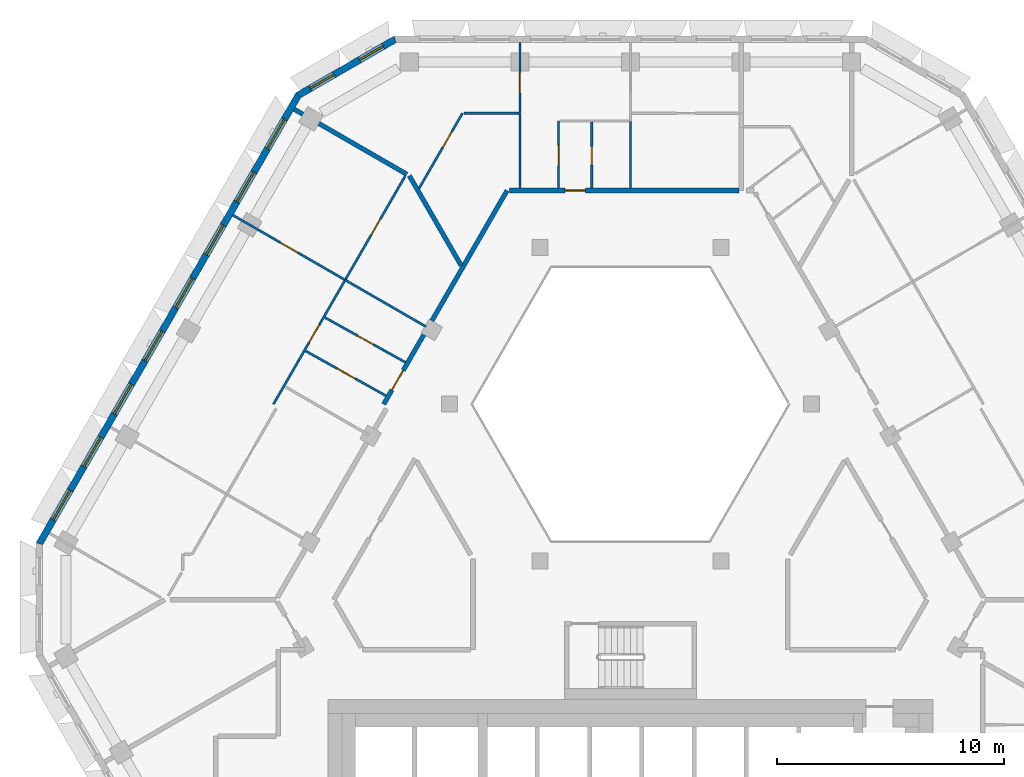
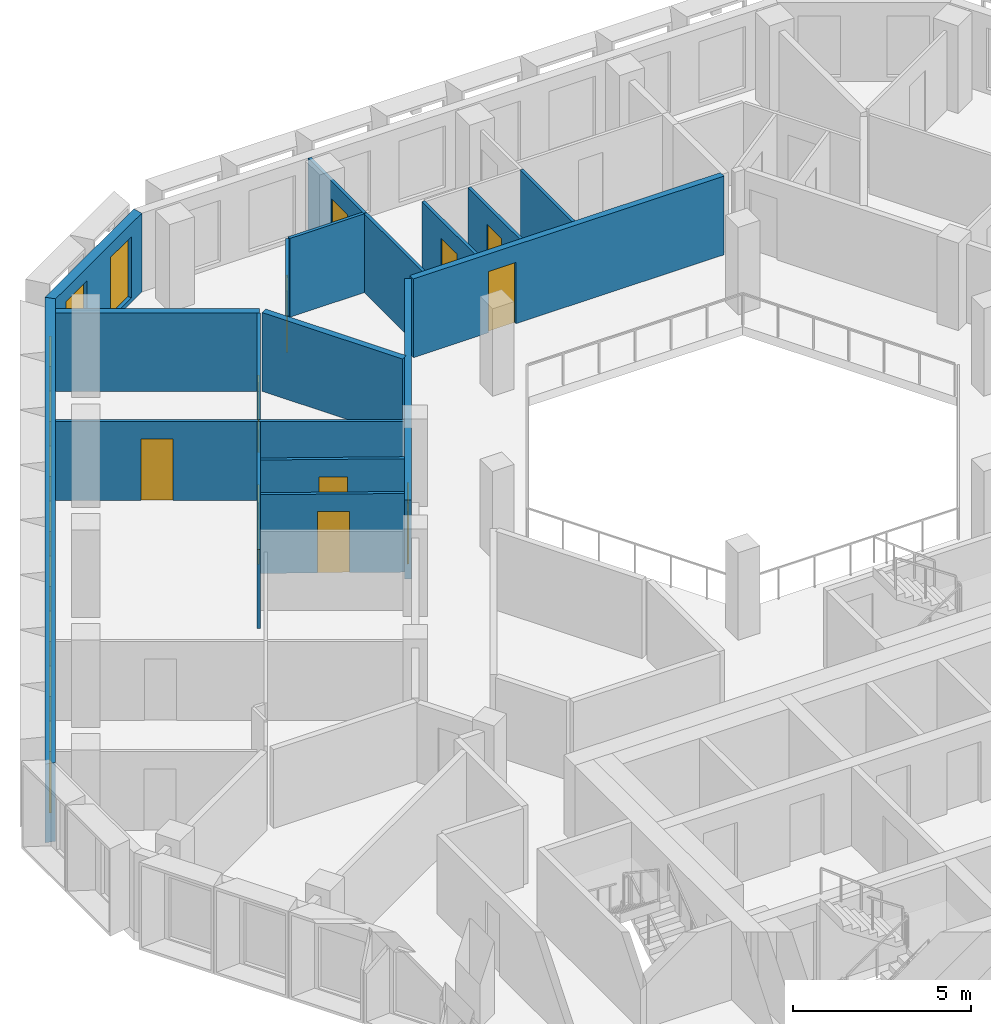
# One storey, part 7 of 17: 18 walls, 11 doors, 10 windows, 21 openings.
"""IFC4 building model written with IfcOpenShell, lengths in metres."""

from ifc_helpers import new_model, si_unit, direction, frame, frame_2d, origin, place, context, subcontext, project, spatial, polyline, rectangle, outline, extrude, material, layer, layer_set, type_object, element, fill, save


model = new_model("IFC4")

# Units and contexts
model_context = context("Model", 3, precision=1e-05, world=origin(), true_north=direction((0.0, 1.0)))
body_context = subcontext(model_context, "Body", "Model", "MODEL_VIEW")
ifc_project = project(units=[si_unit("LENGTHUNIT", "METRE"), si_unit("AREAUNIT", "SQUARE_METRE"), si_unit("VOLUMEUNIT", "CUBIC_METRE"), si_unit("PLANEANGLEUNIT", "RADIAN"), si_unit("MASSUNIT", "GRAM", prefix="KILO")], contexts=[model_context])

# Site, building, storey
site_placement = place(None, origin())
site = spatial("IfcSite", under=ifc_project, at=site_placement, CompositionType="ELEMENT")
building_placement = place(site_placement, origin())
building = spatial("IfcBuilding", under=site, at=building_placement, Name="Beryl Residences", CompositionType="ELEMENT")
storey_placement = place(building_placement, frame((0.0, 0.0, 178.199951171875)))
storey = spatial("IfcBuildingStorey", under=building, at=storey_placement, Name="L54", CompositionType="ELEMENT", Elevation=178.199951171875)

# Wall, openings, windows
ifc_material_1 = material(Name="Composite metal panel with mineral wool insulation")
ifc_layer_1 = layer(ifc_material_1, 0.300048828125)
ifc_layer_set_1 = layer_set([ifc_layer_1], Name="ES1 pale metal composite panel wall 300 mm")
wall_type_1 = type_object("IfcWallType", Name="ES1 pale metal composite panel wall 300 mm", PredefinedType="SOLIDWALL", material=ifc_layer_set_1)
wall_1_placement = place(storey_placement, frame((-10.31689453125, 24.070068359375, 0.0), z_axis=(0.0, 0.0, 1.0), x_axis=(-0.866022959057, -0.500004234368, 0.0)))
wall_1 = element("IfcWall", 1, at=wall_1_placement, inside=storey, type_object=wall_type_1, Name="ES1 external wall L54 N-NW", PredefinedType="SOLIDWALL", context=body_context, shape_type="SweptSolid", body=[
    extrude(outline(polyline([(0.0, -0.14990234375), (5.0, -0.14990234375), (4.919677734375, 0.14990234375), (0.080322265625, 0.14990234375), (0.0, -0.14990234375)])), origin(), (0.0, 0.0, 1.0), 2.699951171875),
])
opening_1_placement = place(wall_1_placement, frame((0.64990234375, 0.0, 0.14990234375)))
opening_1 = element("IfcOpeningElement", 2, at=opening_1_placement, cuts=wall_1, Name="Opening W2", PredefinedType="OPENING", context=body_context, shape_type="SweptSolid", body=[
    extrude(rectangle(XDim=1.199951171875, YDim=2.10009765625, at=frame_2d((0.60009765625, 1.050048828125))), frame((0.0, 0.159912109375, 0.0), z_axis=(0.0, -1.0, 0.0), x_axis=(1.0, 0.0, 0.0)), (0.0, 0.0, 1.0), 0.320068359375),
])
opening_2_placement = place(wall_1_placement, frame((3.14892578125, 0.0, 0.14990234375)))
opening_2 = element("IfcOpeningElement", 3, at=opening_2_placement, cuts=wall_1, Name="Opening W2", PredefinedType="OPENING", context=body_context, shape_type="SweptSolid", body=[
    extrude(rectangle(XDim=1.199951171875, YDim=2.10009765625, at=frame_2d((0.60009765625, 1.050048828125))), frame((0.0, 0.159912109375, 0.0), z_axis=(0.0, -1.0, 0.0), x_axis=(1.0, 0.0, 0.0)), (0.0, 0.0, 1.0), 0.320068359375),
])
ifc_material_2 = material(Name="Aluminium and clear glass", Category="aluminium")
window_type_1 = type_object("IfcWindowType", Name="W2 chamfer window 1200 x 2100 mm", PartitioningType="SINGLE_PANEL", PredefinedType="WINDOW", material=ifc_material_2)
window_1_placement = place(opening_1_placement, origin())
window_1 = element("IfcWindow", 4, at=window_1_placement, inside=storey, type_object=window_type_1, Name="W2 window L54 N-NW 1", OverallHeight=2.10009765625, OverallWidth=1.199951171875, PartitioningType="SINGLE_PANEL", PredefinedType="WINDOW", context=body_context, shape_type="SweptSolid", body=[
    extrude(rectangle(XDim=1.199951171875, YDim=2.10009765625, at=frame_2d((0.60009765625, 1.050048828125))), frame((0.0, 0.030029296875, 0.0), z_axis=(0.0, -1.0, 0.0), x_axis=(1.0, 0.0, 0.0)), (0.0, 0.0, 1.0), 0.06005859375),
])
fill(opening_1, window_1)
window_2_placement = place(opening_2_placement, origin())
window_2 = element("IfcWindow", 5, at=window_2_placement, inside=storey, type_object=window_type_1, Name="W2 window L54 N-NW 2", OverallHeight=2.10009765625, OverallWidth=1.199951171875, PartitioningType="SINGLE_PANEL", PredefinedType="WINDOW", context=body_context, shape_type="SweptSolid", body=[
    extrude(rectangle(XDim=1.199951171875, YDim=2.10009765625, at=frame_2d((0.60009765625, 1.050048828125))), frame((0.0, 0.030029296875, 0.0), z_axis=(0.0, -1.0, 0.0), x_axis=(1.0, 0.0, 0.0)), (0.0, 0.0, 1.0), 0.06005859375),
])
fill(opening_2, window_2)

wall_2_placement = place(storey_placement, frame((-14.592041015625, 21.625, 0.0), z_axis=(0.0, 0.0, 1.0), x_axis=(-0.500010537973, -0.866019319597, 0.0)))
wall_2 = element("IfcWall", 6, at=wall_2_placement, inside=storey, type_object=wall_type_1, Name="ES1 external wall L54 NW", PredefinedType="SOLIDWALL", context=body_context, shape_type="SweptSolid", body=[
    extrude(outline(polyline([(0.0, -0.14990234375), (22.86328125, -0.14990234375), (22.782958984375, 0.14990234375), (0.080322265625, 0.14990234375), (0.0, -0.14990234375)])), origin(), (0.0, 0.0, 1.0), 2.699951171875),
])
opening_3_placement = place(wall_2_placement, frame((1.259033203125, 0.0, 0.14990234375)))
opening_3 = element("IfcOpeningElement", 7, at=opening_3_placement, cuts=wall_2, Name="Opening W1", PredefinedType="OPENING", context=body_context, shape_type="SweptSolid", body=[
    extrude(rectangle(XDim=1.5, YDim=2.10009765625, at=frame_2d((0.75, 1.050048828125))), frame((0.0, 0.159912109375, 0.0), z_axis=(0.0, -1.0, 0.0), x_axis=(1.0, 0.0, 0.0)), (0.0, 0.0, 1.0), 0.320068359375),
])
opening_4_placement = place(wall_2_placement, frame((3.951904296875, 0.0, 0.14990234375)))
opening_4 = element("IfcOpeningElement", 8, at=opening_4_placement, cuts=wall_2, Name="Opening W1", PredefinedType="OPENING", context=body_context, shape_type="SweptSolid", body=[
    extrude(rectangle(XDim=1.5, YDim=2.10009765625, at=frame_2d((0.75, 1.050048828125))), frame((0.0, 0.159912109375, 0.0), z_axis=(0.0, -1.0, 0.0), x_axis=(1.0, 0.0, 0.0)), (0.0, 0.0, 1.0), 0.320068359375),
])
opening_5_placement = place(wall_2_placement, frame((6.64404296875, 0.0, 0.14990234375)))
opening_5 = element("IfcOpeningElement", 9, at=opening_5_placement, cuts=wall_2, Name="Opening W1", PredefinedType="OPENING", context=body_context, shape_type="SweptSolid", body=[
    extrude(rectangle(XDim=1.5, YDim=2.10009765625, at=frame_2d((0.75, 1.050048828125))), frame((0.0, 0.159912109375, 0.0), z_axis=(0.0, -1.0, 0.0), x_axis=(1.0, 0.0, 0.0)), (0.0, 0.0, 1.0), 0.320068359375),
])
opening_6_placement = place(wall_2_placement, frame((9.3349609375, 0.0, 0.14990234375)))
opening_6 = element("IfcOpeningElement", 10, at=opening_6_placement, cuts=wall_2, Name="Opening W1", PredefinedType="OPENING", context=body_context, shape_type="SweptSolid", body=[
    extrude(rectangle(XDim=1.5, YDim=2.10009765625, at=frame_2d((0.75, 1.050048828125))), frame((0.0, 0.159912109375, 0.0), z_axis=(0.0, -1.0, 0.0), x_axis=(1.0, 0.0, 0.0)), (0.0, 0.0, 1.0), 0.320068359375),
])
opening_7_placement = place(wall_2_placement, frame((12.028076171875, 0.0, 0.14990234375)))
opening_7 = element("IfcOpeningElement", 11, at=opening_7_placement, cuts=wall_2, Name="Opening W1", PredefinedType="OPENING", context=body_context, shape_type="SweptSolid", body=[
    extrude(rectangle(XDim=1.5, YDim=2.10009765625, at=frame_2d((0.75, 1.050048828125))), frame((0.0, 0.159912109375, 0.0), z_axis=(0.0, -1.0, 0.0), x_axis=(1.0, 0.0, 0.0)), (0.0, 0.0, 1.0), 0.320068359375),
])
opening_8_placement = place(wall_2_placement, frame((14.719970703125, 0.0, 0.14990234375)))
opening_8 = element("IfcOpeningElement", 12, at=opening_8_placement, cuts=wall_2, Name="Opening W1", PredefinedType="OPENING", context=body_context, shape_type="SweptSolid", body=[
    extrude(rectangle(XDim=1.5, YDim=2.10009765625, at=frame_2d((0.75, 1.050048828125))), frame((0.0, 0.159912109375, 0.0), z_axis=(0.0, -1.0, 0.0), x_axis=(1.0, 0.0, 0.0)), (0.0, 0.0, 1.0), 0.320068359375),
])
opening_9_placement = place(wall_2_placement, frame((17.410888671875, 0.0, 0.14990234375)))
opening_9 = element("IfcOpeningElement", 13, at=opening_9_placement, cuts=wall_2, Name="Opening W1", PredefinedType="OPENING", context=body_context, shape_type="SweptSolid", body=[
    extrude(rectangle(XDim=1.5, YDim=2.10009765625, at=frame_2d((0.75, 1.050048828125))), frame((0.0, 0.159912109375, 0.0), z_axis=(0.0, -1.0, 0.0), x_axis=(1.0, 0.0, 0.0)), (0.0, 0.0, 1.0), 0.320068359375),
])
opening_10_placement = place(wall_2_placement, frame((20.10400390625, 0.0, 0.14990234375)))
opening_10 = element("IfcOpeningElement", 14, at=opening_10_placement, cuts=wall_2, Name="Opening W1", PredefinedType="OPENING", context=body_context, shape_type="SweptSolid", body=[
    extrude(rectangle(XDim=1.5, YDim=2.10009765625, at=frame_2d((0.75, 1.050048828125))), frame((0.0, 0.159912109375, 0.0), z_axis=(0.0, -1.0, 0.0), x_axis=(1.0, 0.0, 0.0)), (0.0, 0.0, 1.0), 0.320068359375),
])
ifc_material_3 = material(Name="Aluminium and clear glass", Category="aluminium")
window_type_2 = type_object("IfcWindowType", Name="W1 cell window 1500 x 2100 mm", PartitioningType="SINGLE_PANEL", PredefinedType="WINDOW", material=ifc_material_3)
window_3_placement = place(opening_3_placement, origin())
window_3 = element("IfcWindow", 15, at=window_3_placement, inside=storey, type_object=window_type_2, Name="W1 window L54 NW 1", OverallHeight=2.10009765625, OverallWidth=1.5, PartitioningType="SINGLE_PANEL", PredefinedType="WINDOW", context=body_context, shape_type="SweptSolid", body=[
    extrude(rectangle(XDim=1.5, YDim=2.10009765625, at=frame_2d((0.75, 1.050048828125))), frame((0.0, 0.030029296875, 0.0), z_axis=(0.0, -1.0, 0.0), x_axis=(1.0, 0.0, 0.0)), (0.0, 0.0, 1.0), 0.06005859375),
])
fill(opening_3, window_3)
window_4_placement = place(opening_4_placement, origin())
window_4 = element("IfcWindow", 16, at=window_4_placement, inside=storey, type_object=window_type_2, Name="W1 window L54 NW 2", OverallHeight=2.10009765625, OverallWidth=1.5, PartitioningType="SINGLE_PANEL", PredefinedType="WINDOW", context=body_context, shape_type="SweptSolid", body=[
    extrude(rectangle(XDim=1.5, YDim=2.10009765625, at=frame_2d((0.75, 1.050048828125))), frame((0.0, 0.030029296875, 0.0), z_axis=(0.0, -1.0, 0.0), x_axis=(1.0, 0.0, 0.0)), (0.0, 0.0, 1.0), 0.06005859375),
])
fill(opening_4, window_4)
window_5_placement = place(opening_5_placement, origin())
window_5 = element("IfcWindow", 17, at=window_5_placement, inside=storey, type_object=window_type_2, Name="W1 window L54 NW 3", OverallHeight=2.10009765625, OverallWidth=1.5, PartitioningType="SINGLE_PANEL", PredefinedType="WINDOW", context=body_context, shape_type="SweptSolid", body=[
    extrude(rectangle(XDim=1.5, YDim=2.10009765625, at=frame_2d((0.75, 1.050048828125))), frame((0.0, 0.030029296875, 0.0), z_axis=(0.0, -1.0, 0.0), x_axis=(1.0, 0.0, 0.0)), (0.0, 0.0, 1.0), 0.06005859375),
])
fill(opening_5, window_5)
window_6_placement = place(opening_6_placement, origin())
window_6 = element("IfcWindow", 18, at=window_6_placement, inside=storey, type_object=window_type_2, Name="W1 window L54 NW 4", OverallHeight=2.10009765625, OverallWidth=1.5, PartitioningType="SINGLE_PANEL", PredefinedType="WINDOW", context=body_context, shape_type="SweptSolid", body=[
    extrude(rectangle(XDim=1.5, YDim=2.10009765625, at=frame_2d((0.75, 1.050048828125))), frame((0.0, 0.030029296875, 0.0), z_axis=(0.0, -1.0, 0.0), x_axis=(1.0, 0.0, 0.0)), (0.0, 0.0, 1.0), 0.06005859375),
])
fill(opening_6, window_6)
window_7_placement = place(opening_7_placement, origin())
window_7 = element("IfcWindow", 19, at=window_7_placement, inside=storey, type_object=window_type_2, Name="W1 window L54 NW 5", OverallHeight=2.10009765625, OverallWidth=1.5, PartitioningType="SINGLE_PANEL", PredefinedType="WINDOW", context=body_context, shape_type="SweptSolid", body=[
    extrude(rectangle(XDim=1.5, YDim=2.10009765625, at=frame_2d((0.75, 1.050048828125))), frame((0.0, 0.030029296875, 0.0), z_axis=(0.0, -1.0, 0.0), x_axis=(1.0, 0.0, 0.0)), (0.0, 0.0, 1.0), 0.06005859375),
])
fill(opening_7, window_7)
window_8_placement = place(opening_8_placement, origin())
window_8 = element("IfcWindow", 20, at=window_8_placement, inside=storey, type_object=window_type_2, Name="W1 window L54 NW 6", OverallHeight=2.10009765625, OverallWidth=1.5, PartitioningType="SINGLE_PANEL", PredefinedType="WINDOW", context=body_context, shape_type="SweptSolid", body=[
    extrude(rectangle(XDim=1.5, YDim=2.10009765625, at=frame_2d((0.75, 1.050048828125))), frame((0.0, 0.030029296875, 0.0), z_axis=(0.0, -1.0, 0.0), x_axis=(1.0, 0.0, 0.0)), (0.0, 0.0, 1.0), 0.06005859375),
])
fill(opening_8, window_8)
window_9_placement = place(opening_9_placement, origin())
window_9 = element("IfcWindow", 21, at=window_9_placement, inside=storey, type_object=window_type_2, Name="W1 window L54 NW 7", OverallHeight=2.10009765625, OverallWidth=1.5, PartitioningType="SINGLE_PANEL", PredefinedType="WINDOW", context=body_context, shape_type="SweptSolid", body=[
    extrude(rectangle(XDim=1.5, YDim=2.10009765625, at=frame_2d((0.75, 1.050048828125))), frame((0.0, 0.030029296875, 0.0), z_axis=(0.0, -1.0, 0.0), x_axis=(1.0, 0.0, 0.0)), (0.0, 0.0, 1.0), 0.06005859375),
])
fill(opening_9, window_9)
window_10_placement = place(opening_10_placement, origin())
window_10 = element("IfcWindow", 22, at=window_10_placement, inside=storey, type_object=window_type_2, Name="W1 window L54 NW 8", OverallHeight=2.10009765625, OverallWidth=1.5, PartitioningType="SINGLE_PANEL", PredefinedType="WINDOW", context=body_context, shape_type="SweptSolid", body=[
    extrude(rectangle(XDim=1.5, YDim=2.10009765625, at=frame_2d((0.75, 1.050048828125))), frame((0.0, 0.030029296875, 0.0), z_axis=(0.0, -1.0, 0.0), x_axis=(1.0, 0.0, 0.0)), (0.0, 0.0, 1.0), 0.06005859375),
])
fill(opening_10, window_10)

# Walls
ifc_material_4 = material(Name="Gypsum board partition on steel studs", Category="steel")
ifc_layer_2 = layer(ifc_material_4, 0.10009765625)
ifc_layer_set_2 = layer_set([ifc_layer_2], Name="PT1 partition 100 mm gypsum board on steel studs")
wall_type_2 = type_object("IfcWallType", Name="PT1 partition 100 mm gypsum board on steel studs", PredefinedType="PARTITIONING", material=ifc_layer_set_2)
wall_3_placement = place(storey_placement, frame((-4.864013671875, 20.76904296875, 0.0), z_axis=(0.0, 0.0, 1.0), x_axis=(0.0, -1.0, 0.0)))
element("IfcWall", 23, at=wall_3_placement, inside=storey, type_object=wall_type_2, Name="Wall PT1 L54 005", PredefinedType="PARTITIONING", context=body_context, shape_type="SweptSolid", body=[
    extrude(rectangle(XDim=3.26904296875, YDim=0.10009765625, at=frame_2d((1.634521484375, 0.0))), origin(), (0.0, 0.0, 1.0), 2.699951171875),
])
wall_4_placement = place(storey_placement, frame((0.0, 20.429931640625, 0.0), z_axis=(0.0, 0.0, 1.0), x_axis=(0.0, -1.0, 0.0)))
element("IfcWall", 24, at=wall_4_placement, inside=storey, type_object=wall_type_2, Name="Wall PT1 L54 006", PredefinedType="PARTITIONING", context=body_context, shape_type="SweptSolid", body=[
    extrude(rectangle(XDim=2.929931640625, YDim=0.10009765625, at=frame_2d((1.46484375, 0.0))), origin(), (0.0, 0.0, 1.0), 2.699951171875),
])

# Wall, opening, door
wall_5_placement = place(storey_placement, frame((-13.444091796875, 11.81396484375, 0.0), z_axis=(0.0, 0.0, 1.0), x_axis=(0.873653620945, -0.486548405207, 0.0)))
wall_5 = element("IfcWall", 25, at=wall_5_placement, inside=storey, type_object=wall_type_2, Name="Wall PT1 L54 007", PredefinedType="PARTITIONING", context=body_context, shape_type="SweptSolid", body=[
    extrude(rectangle(XDim=4.05078125, YDim=0.10009765625, at=frame_2d((2.025390625, 0.0))), origin(), (0.0, 0.0, 1.0), 2.699951171875),
])
opening_11_placement = place(wall_5_placement, frame((1.64990234375, 0.0, 0.0)))
opening_11 = element("IfcOpeningElement", 26, at=opening_11_placement, cuts=wall_5, Name="Opening D1409", PredefinedType="OPENING", context=body_context, shape_type="SweptSolid", body=[
    extrude(rectangle(XDim=0.800048828125, YDim=2.10009765625, at=frame_2d((0.39990234375, 1.050048828125))), frame((0.0, 0.06005859375, 0.0), z_axis=(0.0, -1.0, 0.0), x_axis=(1.0, 0.0, 0.0)), (0.0, 0.0, 1.0), 0.1201171875),
])
ifc_material_5 = material(Name="Timber door leaf", Category="wood")
door_type_1 = type_object("IfcDoorType", Name="D3 bathroom door 800 x 2100 mm", OperationType="SINGLE_SWING_LEFT", PredefinedType="DOOR", material=ifc_material_5)
door_1_placement = place(opening_11_placement, origin())
door_1 = element("IfcDoor", 27, at=door_1_placement, inside=storey, type_object=door_type_1, Name="Door D1409 L54 001", OperationType="SINGLE_SWING_LEFT", OverallHeight=2.10009765625, OverallWidth=0.800048828125, PredefinedType="DOOR", context=body_context, shape_type="SweptSolid", body=[
    extrude(rectangle(XDim=0.800048828125, YDim=2.10009765625, at=frame_2d((0.39990234375, 1.050048828125))), frame((0.0, 0.02490234375, 0.0), z_axis=(0.0, -1.0, 0.0), x_axis=(1.0, 0.0, 0.0)), (0.0, 0.0, 1.0), 0.050048828125),
])
fill(opening_11, door_1)

wall_6_placement = place(storey_placement, frame((-14.2939453125, 10.342041015625, 0.0), z_axis=(0.0, 0.0, 1.0), x_axis=(0.873582256032, -0.486676527013, 0.0)))
wall_6 = element("IfcWall", 28, at=wall_6_placement, inside=storey, type_object=wall_type_2, Name="Wall PT1 L54 008", PredefinedType="PARTITIONING", context=body_context, shape_type="SweptSolid", body=[
    extrude(rectangle(XDim=4.0498046875, YDim=0.10009765625, at=frame_2d((2.02490234375, 0.0))), origin(), (0.0, 0.0, 1.0), 2.699951171875),
])
opening_12_placement = place(wall_6_placement, frame((1.60009765625, 0.0, 0.0)))
opening_12 = element("IfcOpeningElement", 29, at=opening_12_placement, cuts=wall_6, Name="Opening D1410", PredefinedType="OPENING", context=body_context, shape_type="SweptSolid", body=[
    extrude(rectangle(XDim=0.89990234375, YDim=2.10009765625, at=frame_2d((0.449951171875, 1.050048828125))), frame((0.0, 0.06005859375, 0.0), z_axis=(0.0, -1.0, 0.0), x_axis=(1.0, 0.0, 0.0)), (0.0, 0.0, 1.0), 0.1201171875),
])
ifc_material_6 = material(Name="Timber door leaf", Category="wood")
door_type_2 = type_object("IfcDoorType", Name="D2 room door 900 x 2100 mm", OperationType="SINGLE_SWING_LEFT", PredefinedType="DOOR", material=ifc_material_6)
door_2_placement = place(opening_12_placement, origin())
door_2 = element("IfcDoor", 30, at=door_2_placement, inside=storey, type_object=door_type_2, Name="Door D1410 L54 001", OperationType="SINGLE_SWING_RIGHT", OverallHeight=2.10009765625, OverallWidth=0.89990234375, PredefinedType="DOOR", context=body_context, shape_type="SweptSolid", body=[
    extrude(rectangle(XDim=0.89990234375, YDim=2.10009765625, at=frame_2d((0.449951171875, 1.050048828125))), frame((0.0, 0.02490234375, 0.0), z_axis=(0.0, -1.0, 0.0), x_axis=(1.0, 0.0, 0.0)), (0.0, 0.0, 1.0), 0.050048828125),
])
fill(opening_12, door_2)

wall_7_placement = place(storey_placement, frame((-17.486083984375, 16.31298828125, 0.0), z_axis=(0.0, 0.0, 1.0), x_axis=(0.866004402611, -0.500036373335, 0.0)))
wall_7 = element("IfcWall", 31, at=wall_7_placement, inside=storey, type_object=wall_type_2, Name="Wall PT1 L54 012", PredefinedType="PARTITIONING", context=body_context, shape_type="SweptSolid", body=[
    extrude(rectangle(XDim=5.69970703125, YDim=0.10009765625, at=frame_2d((2.849853515625, 0.0))), origin(), (0.0, 0.0, 1.0), 2.699951171875),
])
opening_13_placement = place(wall_7_placement, frame((2.39990234375, 0.0, 0.0)))
opening_13 = element("IfcOpeningElement", 32, at=opening_13_placement, cuts=wall_7, Name="Opening D1413", PredefinedType="OPENING", context=body_context, shape_type="SweptSolid", body=[
    extrude(rectangle(XDim=0.89990234375, YDim=2.10009765625, at=frame_2d((0.449951171875, 1.050048828125))), frame((0.0, 0.06005859375, 0.0), z_axis=(0.0, -1.0, 0.0), x_axis=(1.0, 0.0, 0.0)), (0.0, 0.0, 1.0), 0.1201171875),
])
door_3_placement = place(opening_13_placement, origin())
door_3 = element("IfcDoor", 33, at=door_3_placement, inside=storey, type_object=door_type_2, Name="Door D1413 L54 001", OperationType="SINGLE_SWING_LEFT", OverallHeight=2.10009765625, OverallWidth=0.89990234375, PredefinedType="DOOR", context=body_context, shape_type="SweptSolid", body=[
    extrude(rectangle(XDim=0.89990234375, YDim=2.10009765625, at=frame_2d((0.449951171875, 1.050048828125))), frame((0.0, 0.02490234375, 0.0), z_axis=(0.0, -1.0, 0.0), x_axis=(1.0, 0.0, 0.0)), (0.0, 0.0, 1.0), 0.050048828125),
])
fill(opening_13, door_3)

# Wall
wall_8_placement = place(storey_placement, frame((-7.3310546875, 20.799072265625, 0.0), z_axis=(0.0, 0.0, 1.0), x_axis=(1.0, 0.0, 0.0)))
element("IfcWall", 34, at=wall_8_placement, inside=storey, type_object=wall_type_2, Name="Wall PT1 L54 019", PredefinedType="PARTITIONING", context=body_context, shape_type="SweptSolid", body=[
    extrude(rectangle(XDim=2.4169921875, YDim=0.10009765625, at=frame_2d((1.20849609375, 0.0))), origin(), (0.0, 0.0, 1.0), 2.699951171875),
])

# Wall, opening, door
wall_9_placement = place(storey_placement, frame((-9.294921875, 17.5, 0.0), z_axis=(0.0, 0.0, 1.0), x_axis=(0.500060839138, 0.865990275442, 0.0)))
wall_9 = element("IfcWall", 35, at=wall_9_placement, inside=storey, type_object=wall_type_2, Name="Wall PT1 L54 021", PredefinedType="PARTITIONING", context=body_context, shape_type="SweptSolid", body=[
    extrude(rectangle(XDim=3.8095703125, YDim=0.10009765625, at=frame_2d((1.90478515625, 0.0))), origin(), (0.0, 0.0, 1.0), 2.699951171875),
])
opening_14_placement = place(wall_9_placement, frame((2.0791015625, 0.0, 0.0)))
opening_14 = element("IfcOpeningElement", 36, at=opening_14_placement, cuts=wall_9, Name="Opening D1407", PredefinedType="OPENING", context=body_context, shape_type="SweptSolid", body=[
    extrude(rectangle(XDim=0.800048828125, YDim=2.10009765625, at=frame_2d((0.39990234375, 1.050048828125))), frame((0.0, 0.06005859375, 0.0), z_axis=(0.0, -1.0, 0.0), x_axis=(1.0, 0.0, 0.0)), (0.0, 0.0, 1.0), 0.1201171875),
])
door_4_placement = place(opening_14_placement, origin())
door_4 = element("IfcDoor", 37, at=door_4_placement, inside=storey, type_object=door_type_1, Name="Door D1407 L54 001", OperationType="SINGLE_SWING_LEFT", OverallHeight=2.10009765625, OverallWidth=0.800048828125, PredefinedType="DOOR", context=body_context, shape_type="SweptSolid", body=[
    extrude(rectangle(XDim=0.800048828125, YDim=2.10009765625, at=frame_2d((0.39990234375, 1.050048828125))), frame((0.0, 0.02490234375, 0.0), z_axis=(0.0, -1.0, 0.0), x_axis=(1.0, 0.0, 0.0)), (0.0, 0.0, 1.0), 0.050048828125),
])
fill(opening_14, door_4)

# Wall, openings, doors
wall_10_placement = place(storey_placement, frame((-15.7041015625, 8.0, 0.0), z_axis=(0.0, 0.0, 1.0), x_axis=(0.500005637941, 0.866022148693, 0.0)))
wall_10 = element("IfcWall", 38, at=wall_10_placement, inside=storey, type_object=wall_type_2, Name="Wall PT1 L54 024", PredefinedType="PARTITIONING", context=body_context, shape_type="SweptSolid", body=[
    extrude(rectangle(XDim=11.592041015625, YDim=0.10009765625, at=frame_2d((5.7958984375, 0.0))), origin(), (0.0, 0.0, 1.0), 2.699951171875),
])
opening_15_placement = place(wall_10_placement, frame((3.132080078125, 0.0, 0.0)))
opening_15 = element("IfcOpeningElement", 39, at=opening_15_placement, cuts=wall_10, Name="Opening D1411", PredefinedType="OPENING", context=body_context, shape_type="SweptSolid", body=[
    extrude(rectangle(XDim=0.89990234375, YDim=2.10009765625, at=frame_2d((0.449951171875, 1.050048828125))), frame((0.0, 0.06005859375, 0.0), z_axis=(0.0, -1.0, 0.0), x_axis=(1.0, 0.0, 0.0)), (0.0, 0.0, 1.0), 0.1201171875),
])
opening_16_placement = place(wall_10_placement, frame((8.60009765625, 0.0, 0.0)))
opening_16 = element("IfcOpeningElement", 40, at=opening_16_placement, cuts=wall_10, Name="Opening D1416", PredefinedType="OPENING", context=body_context, shape_type="SweptSolid", body=[
    extrude(rectangle(XDim=0.800048828125, YDim=2.10009765625, at=frame_2d((0.39990234375, 1.050048828125))), frame((0.0, 0.06005859375, 0.0), z_axis=(0.0, -1.0, 0.0), x_axis=(1.0, 0.0, 0.0)), (0.0, 0.0, 1.0), 0.1201171875),
])
door_5_placement = place(opening_15_placement, origin())
door_5 = element("IfcDoor", 41, at=door_5_placement, inside=storey, type_object=door_type_2, Name="Door D1411 L54 001", OperationType="SINGLE_SWING_LEFT", OverallHeight=2.10009765625, OverallWidth=0.89990234375, PredefinedType="DOOR", context=body_context, shape_type="SweptSolid", body=[
    extrude(rectangle(XDim=0.89990234375, YDim=2.10009765625, at=frame_2d((0.449951171875, 1.050048828125))), frame((0.0, 0.02490234375, 0.0), z_axis=(0.0, -1.0, 0.0), x_axis=(1.0, 0.0, 0.0)), (0.0, 0.0, 1.0), 0.050048828125),
])
fill(opening_15, door_5)
door_6_placement = place(opening_16_placement, origin())
door_6 = element("IfcDoor", 42, at=door_6_placement, inside=storey, type_object=door_type_1, Name="Door D1416 L54 001", OperationType="SINGLE_SWING_RIGHT", OverallHeight=2.10009765625, OverallWidth=0.800048828125, PredefinedType="DOOR", context=body_context, shape_type="SweptSolid", body=[
    extrude(rectangle(XDim=0.800048828125, YDim=2.10009765625, at=frame_2d((0.39990234375, 1.050048828125))), frame((0.0, 0.02490234375, 0.0), z_axis=(0.0, -1.0, 0.0), x_axis=(1.0, 0.0, 0.0)), (0.0, 0.0, 1.0), 0.050048828125),
])
fill(opening_16, door_6)

# Wall, opening, door
wall_11_placement = place(storey_placement, frame((-3.162109375, 17.5, 0.0), z_axis=(0.0, 0.0, 1.0), x_axis=(0.0, 1.0, 0.0)))
wall_11 = element("IfcWall", 43, at=wall_11_placement, inside=storey, type_object=wall_type_2, Name="Wall PT1 L54 028", PredefinedType="PARTITIONING", context=body_context, shape_type="SweptSolid", body=[
    extrude(rectangle(XDim=2.958984375, YDim=0.10009765625, at=frame_2d((1.4794921875, 0.0))), origin(), (0.0, 0.0, 1.0), 2.699951171875),
])
opening_17_placement = place(wall_11_placement, frame((0.97998046875, 0.0, 0.0)))
opening_17 = element("IfcOpeningElement", 44, at=opening_17_placement, cuts=wall_11, Name="Opening D1402", PredefinedType="OPENING", context=body_context, shape_type="SweptSolid", body=[
    extrude(rectangle(XDim=0.89990234375, YDim=2.10009765625, at=frame_2d((0.449951171875, 1.050048828125))), frame((0.0, 0.06005859375, 0.0), z_axis=(0.0, -1.0, 0.0), x_axis=(1.0, 0.0, 0.0)), (0.0, 0.0, 1.0), 0.1201171875),
])
door_7_placement = place(opening_17_placement, origin())
door_7 = element("IfcDoor", 45, at=door_7_placement, inside=storey, type_object=door_type_2, Name="Door D1402 L54 001", OperationType="SINGLE_SWING_RIGHT", OverallHeight=2.10009765625, OverallWidth=0.89990234375, PredefinedType="DOOR", context=body_context, shape_type="SweptSolid", body=[
    extrude(rectangle(XDim=0.89990234375, YDim=2.10009765625, at=frame_2d((0.449951171875, 1.050048828125))), frame((0.0, 0.02490234375, 0.0), z_axis=(0.0, -1.0, 0.0), x_axis=(1.0, 0.0, 0.0)), (0.0, 0.0, 1.0), 0.050048828125),
])
fill(opening_17, door_7)

wall_12_placement = place(storey_placement, frame((-4.864013671875, 20.779052734375, 0.0), z_axis=(0.0, 0.0, 1.0), x_axis=(0.0, 1.0, 0.0)))
wall_12 = element("IfcWall", 46, at=wall_12_placement, inside=storey, type_object=wall_type_2, Name="Wall PT1 L54 029", PredefinedType="PARTITIONING", context=body_context, shape_type="SweptSolid", body=[
    extrude(rectangle(XDim=3.120849609375, YDim=0.10009765625, at=frame_2d((1.560546875, 0.0))), origin(), (0.0, 0.0, 1.0), 2.699951171875),
])
opening_18_placement = place(wall_12_placement, frame((0.909912109375, 0.0, 0.0)))
opening_18 = element("IfcOpeningElement", 47, at=opening_18_placement, cuts=wall_12, Name="Opening D1404", PredefinedType="OPENING", context=body_context, shape_type="SweptSolid", body=[
    extrude(rectangle(XDim=0.89990234375, YDim=2.10009765625, at=frame_2d((0.449951171875, 1.050048828125))), frame((0.0, 0.06005859375, 0.0), z_axis=(0.0, -1.0, 0.0), x_axis=(1.0, 0.0, 0.0)), (0.0, 0.0, 1.0), 0.1201171875),
])
door_8_placement = place(opening_18_placement, origin())
door_8 = element("IfcDoor", 48, at=door_8_placement, inside=storey, type_object=door_type_2, Name="Door D1404 L54 001", OperationType="SINGLE_SWING_RIGHT", OverallHeight=2.10009765625, OverallWidth=0.89990234375, PredefinedType="DOOR", context=body_context, shape_type="SweptSolid", body=[
    extrude(rectangle(XDim=0.89990234375, YDim=2.10009765625, at=frame_2d((0.449951171875, 1.050048828125))), frame((0.0, 0.02490234375, 0.0), z_axis=(0.0, -1.0, 0.0), x_axis=(1.0, 0.0, 0.0)), (0.0, 0.0, 1.0), 0.050048828125),
])
fill(opening_18, door_8)

wall_13_placement = place(storey_placement, frame((-1.701904296875, 17.5, 0.0), z_axis=(0.0, 0.0, 1.0), x_axis=(0.0, 1.0, 0.0)))
wall_13 = element("IfcWall", 49, at=wall_13_placement, inside=storey, type_object=wall_type_2, Name="Wall PT1 L54 030", PredefinedType="PARTITIONING", context=body_context, shape_type="SweptSolid", body=[
    extrude(rectangle(XDim=2.909912109375, YDim=0.10009765625, at=frame_2d((1.455078125, 0.0))), origin(), (0.0, 0.0, 1.0), 2.699951171875),
])
opening_19_placement = place(wall_13_placement, frame((1.030029296875, 0.0, 0.0)))
opening_19 = element("IfcOpeningElement", 50, at=opening_19_placement, cuts=wall_13, Name="Opening D1403", PredefinedType="OPENING", context=body_context, shape_type="SweptSolid", body=[
    extrude(rectangle(XDim=0.800048828125, YDim=2.10009765625, at=frame_2d((0.39990234375, 1.050048828125))), frame((0.0, 0.06005859375, 0.0), z_axis=(0.0, -1.0, 0.0), x_axis=(1.0, 0.0, 0.0)), (0.0, 0.0, 1.0), 0.1201171875),
])
door_9_placement = place(opening_19_placement, origin())
door_9 = element("IfcDoor", 51, at=door_9_placement, inside=storey, type_object=door_type_1, Name="Door D1403 L54 001", OperationType="SINGLE_SWING_LEFT", OverallHeight=2.10009765625, OverallWidth=0.800048828125, PredefinedType="DOOR", context=body_context, shape_type="SweptSolid", body=[
    extrude(rectangle(XDim=0.800048828125, YDim=2.10009765625, at=frame_2d((0.39990234375, 1.050048828125))), frame((0.0, 0.02490234375, 0.0), z_axis=(0.0, -1.0, 0.0), x_axis=(1.0, 0.0, 0.0)), (0.0, 0.0, 1.0), 0.050048828125),
])
fill(opening_19, door_9)

# Walls
wall_14_placement = place(storey_placement, frame((-12.550048828125, 13.462890625, 0.0), z_axis=(0.0, 0.0, 1.0), x_axis=(0.86606561423, -0.499930346997, 0.0)))
element("IfcWall", 52, at=wall_14_placement, inside=storey, type_object=wall_type_2, Name="Wall PT1 L54 041", PredefinedType="PARTITIONING", context=body_context, shape_type="SweptSolid", body=[
    extrude(rectangle(XDim=4.10009765625, YDim=0.10009765625, at=frame_2d((2.050048828125, 0.0))), origin(), (0.0, 0.0, 1.0), 2.699951171875),
])
ifc_material_7 = material(Name="Acoustic double stud gypsum board wall")
ifc_layer_3 = layer(ifc_material_7, 0.199951171875)
ifc_layer_set_3 = layer_set([ifc_layer_3], Name="PT3 party wall 200 mm acoustic double stud")
wall_type_3 = type_object("IfcWallType", Name="PT3 party wall 200 mm acoustic double stud", PredefinedType="PARTITIONING", material=ifc_layer_set_3)
wall_15_placement = place(storey_placement, frame((-9.72802734375, 18.050048828125, 0.0), z_axis=(0.0, 0.0, 1.0), x_axis=(0.499921709333, -0.866070600204, 0.0)))
element("IfcWall", 53, at=wall_15_placement, inside=storey, type_object=wall_type_3, Name="Wall PT3 L54 001", PredefinedType="PARTITIONING", context=body_context, shape_type="SweptSolid", body=[
    extrude(rectangle(XDim=4.560791015625, YDim=0.199951171875, at=frame_2d((2.2802734375, 0.0))), origin(), (0.0, 0.0, 1.0), 2.699951171875),
])
wall_16_placement = place(storey_placement, frame((-14.7939453125, 20.97509765625, 0.0), z_axis=(0.0, 0.0, 1.0), x_axis=(0.865982978614, -0.500073475352, 0.0)))
element("IfcWall", 54, at=wall_16_placement, inside=storey, type_object=wall_type_3, Name="Wall PT3 L54 006", PredefinedType="PARTITIONING", context=body_context, shape_type="SweptSolid", body=[
    extrude(rectangle(XDim=5.719482421875, YDim=0.199951171875, at=frame_2d((2.85986328125, 0.0))), origin(), (0.0, 0.0, 1.0), 2.699951171875),
])

# Wall, opening, door
ifc_material_8 = material(Name="Double stud gypsum board wall")
ifc_layer_4 = layer(ifc_material_8, 0.199951171875)
ifc_layer_set_4 = layer_set([ifc_layer_4], Name="PT4 corridor wall 200 mm double stud")
wall_type_4 = type_object("IfcWallType", Name="PT4 corridor wall 200 mm double stud", PredefinedType="PARTITIONING", material=ifc_layer_set_4)
wall_17_placement = place(storey_placement, frame((-5.31103515625, 17.39990234375, 0.0), z_axis=(0.0, 0.0, 1.0), x_axis=(1.0, 0.0, 0.0)))
wall_17 = element("IfcWall", 55, at=wall_17_placement, inside=storey, type_object=wall_type_4, Name="Wall PT4 L54 014", PredefinedType="PARTITIONING", context=body_context, shape_type="SweptSolid", body=[
    extrude(rectangle(XDim=10.074951171875, YDim=0.199951171875, at=frame_2d((5.03759765625, 0.0))), origin(), (0.0, 0.0, 1.0), 2.699951171875),
])
opening_20_placement = place(wall_17_placement, frame((2.428955078125, 0.0, 0.0)))
opening_20 = element("IfcOpeningElement", 56, at=opening_20_placement, cuts=wall_17, Name="Opening D1401", PredefinedType="OPENING", context=body_context, shape_type="SweptSolid", body=[
    extrude(rectangle(XDim=0.89990234375, YDim=2.10009765625, at=frame_2d((0.449951171875, 1.050048828125))), frame((0.0, 0.10986328125, 0.0), z_axis=(0.0, -1.0, 0.0), x_axis=(1.0, 0.0, 0.0)), (0.0, 0.0, 1.0), 0.219970703125),
])
ifc_material_9 = material(Name="Timber door leaf", Category="wood")
door_type_3 = type_object("IfcDoorType", Name="D11 flat entrance door 900 x 2100 mm", OperationType="SINGLE_SWING_LEFT", PredefinedType="DOOR", material=ifc_material_9)
door_10_placement = place(opening_20_placement, origin())
door_10 = element("IfcDoor", 57, at=door_10_placement, inside=storey, type_object=door_type_3, Name="Door D1401 L54 001", OperationType="SINGLE_SWING_LEFT", OverallHeight=2.10009765625, OverallWidth=0.89990234375, PredefinedType="DOOR", context=body_context, shape_type="SweptSolid", body=[
    extrude(rectangle(XDim=0.89990234375, YDim=2.10009765625, at=frame_2d((0.449951171875, 1.050048828125))), frame((0.0, 0.02490234375, 0.0), z_axis=(0.0, -1.0, 0.0), x_axis=(1.0, 0.0, 0.0)), (0.0, 0.0, 1.0), 0.050048828125),
])
fill(opening_20, door_10)

wall_18_placement = place(storey_placement, frame((-10.85400390625, 8.0, 0.0), z_axis=(0.0, 0.0, 1.0), x_axis=(0.499997637144, 0.866026767976, 0.0)))
wall_18 = element("IfcWall", 58, at=wall_18_placement, inside=storey, type_object=wall_type_4, Name="Wall PT4 L54 021", PredefinedType="PARTITIONING", context=body_context, shape_type="SweptSolid", body=[
    extrude(rectangle(XDim=10.85400390625, YDim=0.199951171875, at=frame_2d((5.427001953125, 0.0))), origin(), (0.0, 0.0, 1.0), 2.699951171875),
])
opening_21_placement = place(wall_18_placement, frame((0.720947265625, 0.0, 0.0)))
opening_21 = element("IfcOpeningElement", 59, at=opening_21_placement, cuts=wall_18, Name="Opening D1408", PredefinedType="OPENING", context=body_context, shape_type="SweptSolid", body=[
    extrude(rectangle(XDim=1.0, YDim=2.10009765625, at=frame_2d((0.5, 1.050048828125))), frame((0.0, 0.10986328125, 0.0), z_axis=(0.0, -1.0, 0.0), x_axis=(1.0, 0.0, 0.0)), (0.0, 0.0, 1.0), 0.219970703125),
])
ifc_material_10 = material(Name="Timber door leaf", Category="wood")
door_type_4 = type_object("IfcDoorType", Name="D1 flat entrance door 1000 x 2100 mm", OperationType="SINGLE_SWING_LEFT", PredefinedType="DOOR", material=ifc_material_10)
door_11_placement = place(opening_21_placement, origin())
door_11 = element("IfcDoor", 60, at=door_11_placement, inside=storey, type_object=door_type_4, Name="Door D1408 L54 001", OperationType="SINGLE_SWING_RIGHT", OverallHeight=2.10009765625, OverallWidth=1.0, PredefinedType="DOOR", context=body_context, shape_type="SweptSolid", body=[
    extrude(rectangle(XDim=1.0, YDim=2.10009765625, at=frame_2d((0.5, 1.050048828125))), frame((0.0, 0.02490234375, 0.0), z_axis=(0.0, -1.0, 0.0), x_axis=(1.0, 0.0, 0.0)), (0.0, 0.0, 1.0), 0.050048828125),
])
fill(opening_21, door_11)

save(model, "model.ifc")
